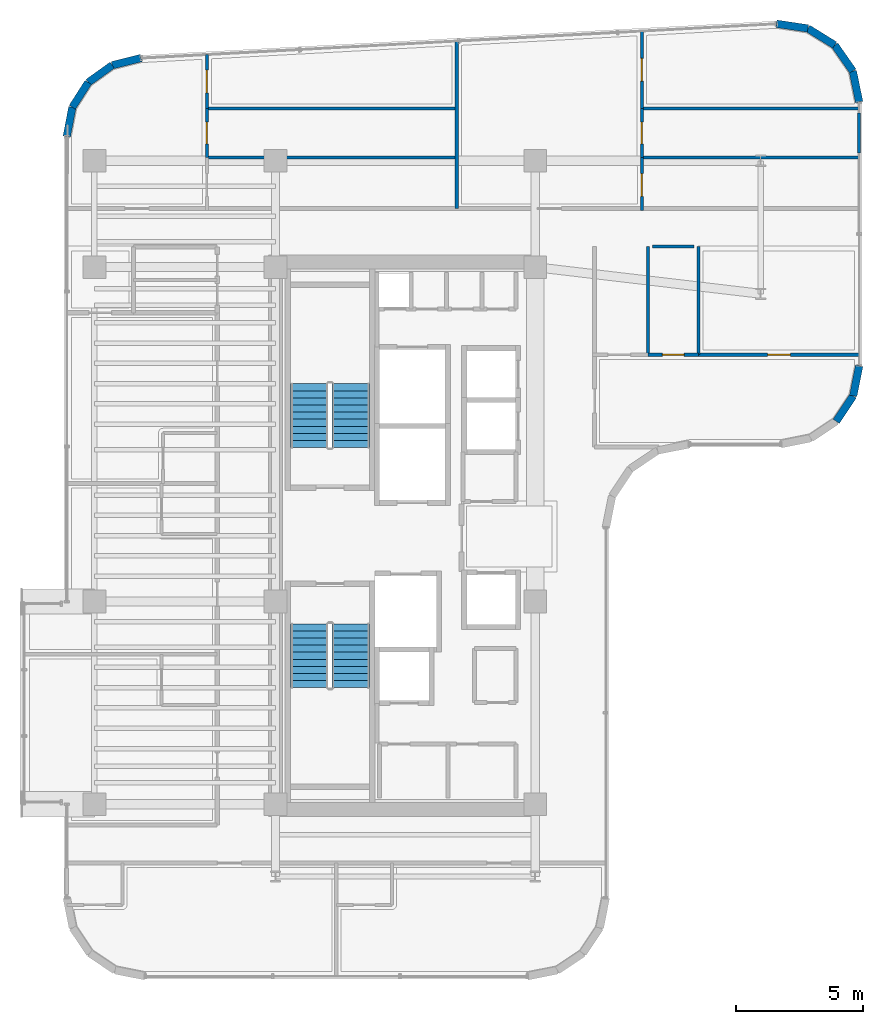
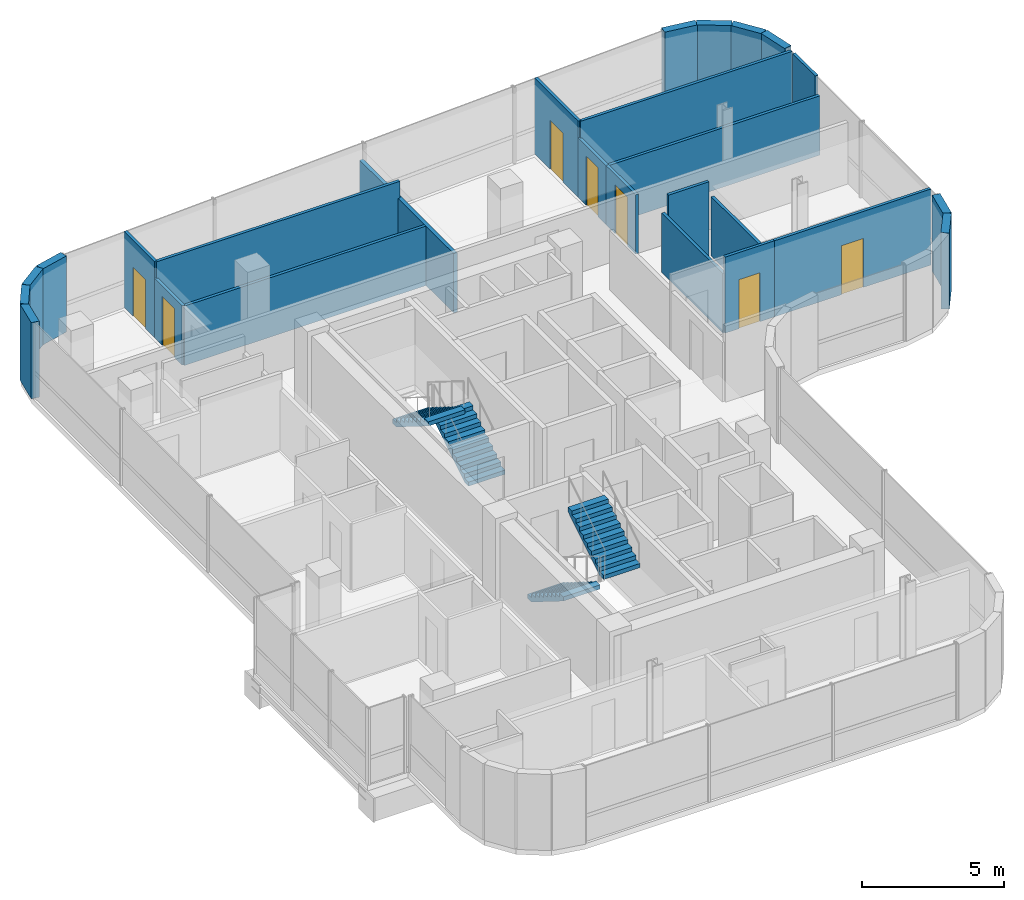
# One storey, part 21 of 24: 26 walls, 7 doors, 4 stair flights, 7 openings, 2 elements without a shape of their own.
"""IFC4 building model written with IfcOpenShell, lengths in metres."""

from ifc_helpers import new_model, si_unit, direction, frame, frame_2d, origin, place, context, subcontext, project, spatial, polyline, rectangle, outline, extrude, material, layer, layer_set, type_object, element, fill, aggregate, save


model = new_model("IFC4")

# Units and contexts
model_context = context("Model", 3, precision=1e-05, world=origin(), true_north=direction((0.0, 1.0)))
body_context = subcontext(model_context, "Body", "Model", "MODEL_VIEW")
ifc_project = project(units=[si_unit("LENGTHUNIT", "METRE"), si_unit("AREAUNIT", "SQUARE_METRE"), si_unit("VOLUMEUNIT", "CUBIC_METRE"), si_unit("PLANEANGLEUNIT", "RADIAN"), si_unit("MASSUNIT", "GRAM", prefix="KILO")], contexts=[model_context])

# Site, building, storey
site_placement = place(None, origin())
site = spatial("IfcSite", under=ifc_project, at=site_placement, CompositionType="ELEMENT")
building_placement = place(site_placement, origin())
building = spatial("IfcBuilding", under=site, at=building_placement, Name="Valdorenza Pilgrim Sanctuary Tower", CompositionType="ELEMENT")
storey_placement = place(building_placement, frame((0.0, 0.0, 230.0)))
storey = spatial("IfcBuildingStorey", under=building, at=storey_placement, Name="L59", CompositionType="ELEMENT", Elevation=230.0)

# Walls
ifc_material_1 = material(Name="Honed travertine limestone", Category="masonry")
ifc_layer_1 = layer(ifc_material_1, 0.300048828125, Name="Honed travertine limestone")
ifc_layer_set_1 = layer_set([ifc_layer_1], Name="Honed travertine limestone")
wall_type_1 = type_object("IfcWallType", Name="WAL-EXT-300", PredefinedType="SOLIDWALL", material=ifc_layer_set_1)
wall_1_placement = place(storey_placement, frame((-30.889892578125, 15.757568359375, 0.0), z_axis=(0.0, 0.0, 1.0), x_axis=(0.18831542659, 0.982108598938, 0.0)))
element("IfcWall", 1, at=wall_1_placement, inside=storey, type_object=wall_type_1, Name="L59 Rounded Wind-Corner Stone Pier 2", PredefinedType="SOLIDWALL", context=body_context, shape_type="SweptSolid", body=[
    extrude(rectangle(XDim=1.174560546875, YDim=0.300048828125, at=frame_2d((0.58740234375, 0.0))), origin(), (0.0, 0.0, 1.0), 3.260009765625),
])
wall_2_placement = place(storey_placement, frame((-30.668701171875, 16.9111328125, 0.0), z_axis=(0.0, 0.0, 1.0), x_axis=(0.538678781902, 0.84251122837, 0.0)))
element("IfcWall", 2, at=wall_2_placement, inside=storey, type_object=wall_type_1, Name="L59 Rounded Wind-Corner Stone Pier 3", PredefinedType="SOLIDWALL", context=body_context, shape_type="SweptSolid", body=[
    extrude(rectangle(XDim=1.164306640625, YDim=0.300048828125, at=frame_2d((0.58203125, 0.0))), origin(), (0.0, 0.0, 1.0), 3.260009765625),
])
wall_3_placement = place(storey_placement, frame((-30.04150390625, 17.89208984375, 0.0), z_axis=(0.0, 0.0, 1.0), x_axis=(0.812313539683, 0.583220981487, 0.0)))
element("IfcWall", 3, at=wall_3_placement, inside=storey, type_object=wall_type_1, Name="L59 Rounded Wind-Corner Stone Pier 4", PredefinedType="SOLIDWALL", context=body_context, shape_type="SweptSolid", body=[
    extrude(rectangle(XDim=1.163818359375, YDim=0.300048828125, at=frame_2d((0.58203125, 0.0))), origin(), (0.0, 0.0, 1.0), 3.260009765625),
])
wall_4_placement = place(storey_placement, frame((-29.09619140625, 18.57080078125, 0.0), z_axis=(0.0, 0.0, 1.0), x_axis=(0.97050812798, 0.241068400098, 0.0)))
element("IfcWall", 4, at=wall_4_placement, inside=storey, type_object=wall_type_1, Name="L59 Rounded Wind-Corner Stone Pier 5", PredefinedType="SOLIDWALL", context=body_context, shape_type="SweptSolid", body=[
    extrude(rectangle(XDim=1.1748046875, YDim=0.300048828125, at=frame_2d((0.58740234375, 0.0))), origin(), (0.0, 0.0, 1.0), 3.260009765625),
])
wall_5_placement = place(storey_placement, frame((-2.877685546875, 20.20751953125, 0.0), z_axis=(0.0, 0.0, 1.0), x_axis=(0.988902138571, -0.148568369208, 0.0)))
element("IfcWall", 5, at=wall_5_placement, inside=storey, type_object=wall_type_1, Name="L59 Rounded Wind-Corner Stone Pier 7", PredefinedType="SOLIDWALL", context=body_context, shape_type="SweptSolid", body=[
    extrude(rectangle(XDim=1.257080078125, YDim=0.300048828125, at=frame_2d((0.62841796875, 0.0))), origin(), (0.0, 0.0, 1.0), 3.260009765625),
])
wall_6_placement = place(storey_placement, frame((-1.634521484375, 20.020751953125, 0.0), z_axis=(0.0, 0.0, 1.0), x_axis=(0.849646224094, -0.52735310171, 0.0)))
element("IfcWall", 6, at=wall_6_placement, inside=storey, type_object=wall_type_1, Name="L59 Rounded Wind-Corner Stone Pier 8", PredefinedType="SOLIDWALL", context=body_context, shape_type="SweptSolid", body=[
    extrude(rectangle(XDim=1.245361328125, YDim=0.300048828125, at=frame_2d((0.62255859375, 0.0))), origin(), (0.0, 0.0, 1.0), 3.260009765625),
])
wall_7_placement = place(storey_placement, frame((-0.576416015625, 19.364013671875, 0.0), z_axis=(0.0, 0.0, 1.0), x_axis=(0.572304219931, -0.820041389107, 0.0)))
element("IfcWall", 7, at=wall_7_placement, inside=storey, type_object=wall_type_1, Name="L59 Rounded Wind-Corner Stone Pier 9", PredefinedType="SOLIDWALL", context=body_context, shape_type="SweptSolid", body=[
    extrude(rectangle(XDim=1.24560546875, YDim=0.300048828125, at=frame_2d((0.622802734375, 0.0))), origin(), (0.0, 0.0, 1.0), 3.260009765625),
])
wall_8_placement = place(storey_placement, frame((0.136474609375, 18.342529296875, 0.0), z_axis=(0.0, 0.0, 1.0), x_axis=(0.201603599025, -0.979467196419, 0.0)))
element("IfcWall", 8, at=wall_8_placement, inside=storey, type_object=wall_type_1, Name="L59 Rounded Wind-Corner Stone Pier 10", PredefinedType="SOLIDWALL", context=body_context, shape_type="SweptSolid", body=[
    extrude(rectangle(XDim=1.257080078125, YDim=0.300048828125, at=frame_2d((0.62841796875, 0.0))), origin(), (0.0, 0.0, 1.0), 3.260009765625),
])
wall_9_placement = place(storey_placement, frame((0.389892578125, 6.710693359375, 0.0), z_axis=(0.0, 0.0, 1.0), x_axis=(-0.194996050505, -0.980804027463, 0.0)))
element("IfcWall", 9, at=wall_9_placement, inside=storey, type_object=wall_type_1, Name="L59 Rounded Wind-Corner Stone Pier 12", PredefinedType="SOLIDWALL", context=body_context, shape_type="SweptSolid", body=[
    extrude(rectangle(XDim=1.2158203125, YDim=0.300048828125, at=frame_2d((0.60791015625, 0.0))), origin(), (0.0, 0.0, 1.0), 3.260009765625),
])
wall_10_placement = place(storey_placement, frame((0.15283203125, 5.518310546875, 0.0), z_axis=(0.0, 0.0, 1.0), x_axis=(-0.555635100982, -0.831426265255, 0.0)))
element("IfcWall", 10, at=wall_10_placement, inside=storey, type_object=wall_type_1, Name="L59 Rounded Wind-Corner Stone Pier 13", PredefinedType="SOLIDWALL", context=body_context, shape_type="SweptSolid", body=[
    extrude(rectangle(XDim=1.204833984375, YDim=0.300048828125, at=frame_2d((0.6025390625, 0.0))), origin(), (0.0, 0.0, 1.0), 3.260009765625),
])
ifc_material_2 = material(Name="Moisture-resistant gypsum partition", Category="gypsum")
ifc_layer_2 = layer(ifc_material_2, 0.1201171875, Name="Moisture-resistant gypsum partition")
ifc_layer_set_2 = layer_set([ifc_layer_2], Name="Moisture-resistant gypsum partition")
wall_type_2 = type_object("IfcWallType", Name="WAL-INT-120", PredefinedType="PARTITIONING", material=ifc_layer_set_2)
wall_11_placement = place(storey_placement, frame((-25.360595703125, 14.919921875, 0.0), z_axis=(0.0, 0.0, 1.0), x_axis=(1.0, 0.0, 0.0)))
element("IfcWall", 11, at=wall_11_placement, inside=storey, type_object=wall_type_2, Name="L59 North Sanctuary Apartment L59-N1 Bath-Kitchen Wall", PredefinedType="PARTITIONING", context=body_context, shape_type="SweptSolid", body=[
    extrude(rectangle(XDim=9.860595703125, YDim=0.1201171875, at=frame_2d((4.93017578125, 0.0))), origin(), (0.0, 0.0, 1.0), 2.5439453125),
])
wall_12_placement = place(storey_placement, frame((-25.360595703125, 16.8701171875, 0.0), z_axis=(0.0, 0.0, 1.0), x_axis=(1.0, 0.0, 0.0)))
element("IfcWall", 12, at=wall_12_placement, inside=storey, type_object=wall_type_2, Name="L59 North Sanctuary Apartment L59-N1 Kitchen-Bedroom Wall", PredefinedType="PARTITIONING", context=body_context, shape_type="SweptSolid", body=[
    extrude(rectangle(XDim=9.860595703125, YDim=0.1201171875, at=frame_2d((4.93017578125, 0.0))), origin(), (0.0, 0.0, 1.0), 3.260009765625),
])

# Wall, opening, door
wall_13_placement = place(storey_placement, frame((-25.360595703125, 14.919921875, 0.0), z_axis=(0.0, 0.0, 1.0), x_axis=(0.0, 1.0, 0.0)))
wall_13 = element("IfcWall", 13, at=wall_13_placement, inside=storey, type_object=wall_type_2, Name="L59 North Sanctuary Apartment L59-N1 Bathroom Door Wall", PredefinedType="PARTITIONING", context=body_context, shape_type="SweptSolid", body=[
    extrude(rectangle(XDim=1.9501953125, YDim=0.1201171875, at=frame_2d((0.97509765625, 0.0))), origin(), (0.0, 0.0, 1.0), 2.5439453125),
])
opening_1_placement = place(wall_13_placement, frame((0.550048828125, 0.0, 0.0)))
opening_1 = element("IfcOpeningElement", 14, at=opening_1_placement, cuts=wall_13, Name="Opening DR-WC1", PredefinedType="OPENING", context=body_context, shape_type="SweptSolid", body=[
    extrude(rectangle(XDim=0.85009765625, YDim=2.10009765625, at=frame_2d((0.425048828125, 1.050048828125))), frame((0.0, 0.074951171875, 0.0), z_axis=(0.0, -1.0, 0.0), x_axis=(1.0, 0.0, 0.0)), (0.0, 0.0, 1.0), 0.14990234375),
])
ifc_material_3 = material(Name="Moisture-resistant lacquered timber", Category="wood")
door_type_1 = type_object("IfcDoorType", Name="DR-BATH-850", OperationType="NOTDEFINED", PredefinedType="DOOR", material=ifc_material_3)
door_1_placement = place(opening_1_placement, origin())
door_1 = element("IfcDoor", 15, at=door_1_placement, inside=storey, type_object=door_type_1, Name="L59 North Sanctuary Apartment L59-N1 Bathroom Door", OperationType="SINGLE_SWING_LEFT", OverallHeight=2.10009765625, OverallWidth=0.85009765625, PredefinedType="DOOR", context=body_context, shape_type="SweptSolid", body=[
    extrude(rectangle(XDim=0.85009765625, YDim=2.10009765625, at=frame_2d((0.425048828125, 1.050048828125))), frame((0.0, 0.02490234375, 0.0), z_axis=(0.0, -1.0, 0.0), x_axis=(1.0, 0.0, 0.0)), (0.0, 0.0, 1.0), 0.050048828125),
])
fill(opening_1, door_1)

wall_14_placement = place(storey_placement, frame((-25.360595703125, 16.8701171875, 0.0), z_axis=(0.0, 0.0, 1.0), x_axis=(0.0, 1.0, 0.0)))
wall_14 = element("IfcWall", 16, at=wall_14_placement, inside=storey, type_object=wall_type_2, Name="L59 North Sanctuary Apartment L59-N1 Bedroom Door Wall", PredefinedType="PARTITIONING", context=body_context, shape_type="SweptSolid", body=[
    extrude(rectangle(XDim=2.1240234375, YDim=0.1201171875, at=frame_2d((1.06201171875, 0.0))), origin(), (0.0, 0.0, 1.0), 3.260009765625),
])
opening_2_placement = place(wall_14_placement, frame((0.612060546875, 0.0, 0.0)))
opening_2 = element("IfcOpeningElement", 17, at=opening_2_placement, cuts=wall_14, Name="Opening DR-RM1", PredefinedType="OPENING", context=body_context, shape_type="SweptSolid", body=[
    extrude(rectangle(XDim=0.89990234375, YDim=2.10009765625, at=frame_2d((0.449951171875, 1.050048828125))), frame((0.0, 0.074951171875, 0.0), z_axis=(0.0, -1.0, 0.0), x_axis=(1.0, 0.0, 0.0)), (0.0, 0.0, 1.0), 0.14990234375),
])
ifc_material_4 = material(Name="Solid-core European oak timber", Category="wood")
door_type_2 = type_object("IfcDoorType", Name="DR-ROOM-900", OperationType="NOTDEFINED", PredefinedType="DOOR", material=ifc_material_4)
door_2_placement = place(opening_2_placement, frame((0.89990234375, 0.0, 0.0), z_axis=(0.0, 0.0, 1.0), x_axis=(-1.0, 0.0, 0.0)))
door_2 = element("IfcDoor", 18, at=door_2_placement, inside=storey, type_object=door_type_2, Name="L59 North Sanctuary Apartment L59-N1 Bedroom Door", OperationType="SINGLE_SWING_LEFT", OverallHeight=2.10009765625, OverallWidth=0.89990234375, PredefinedType="DOOR", context=body_context, shape_type="SweptSolid", body=[
    extrude(rectangle(XDim=0.89990234375, YDim=2.10009765625, at=frame_2d((0.449951171875, 1.050048828125))), frame((0.0, 0.02490234375, 0.0), z_axis=(0.0, -1.0, 0.0), x_axis=(1.0, 0.0, 0.0)), (0.0, 0.0, 1.0), 0.050048828125),
])
fill(opening_2, door_2)

# Walls
wall_15_placement = place(storey_placement, frame((-8.190673828125, 14.919921875, 0.0), z_axis=(0.0, 0.0, 1.0), x_axis=(1.0, 0.0, 0.0)))
element("IfcWall", 19, at=wall_15_placement, inside=storey, type_object=wall_type_2, Name="L59 North Sanctuary Apartment L59-N2 Bath-Kitchen Wall", PredefinedType="PARTITIONING", context=body_context, shape_type="SweptSolid", body=[
    extrude(rectangle(XDim=8.58056640625, YDim=0.1201171875, at=frame_2d((4.290283203125, 0.0))), origin(), (0.0, 0.0, 1.0), 2.5439453125),
])
wall_16_placement = place(storey_placement, frame((-8.190673828125, 16.8701171875, 0.0), z_axis=(0.0, 0.0, 1.0), x_axis=(1.0, 0.0, 0.0)))
element("IfcWall", 20, at=wall_16_placement, inside=storey, type_object=wall_type_2, Name="L59 North Sanctuary Apartment L59-N2 Kitchen-Bedroom Wall", PredefinedType="PARTITIONING", context=body_context, shape_type="SweptSolid", body=[
    extrude(rectangle(XDim=8.58056640625, YDim=0.1201171875, at=frame_2d((4.290283203125, 0.0))), origin(), (0.0, 0.0, 1.0), 3.260009765625),
])

# Wall, opening, door
wall_17_placement = place(storey_placement, frame((-8.190673828125, 14.919921875, 0.0), z_axis=(0.0, 0.0, 1.0), x_axis=(0.0, 1.0, 0.0)))
wall_17 = element("IfcWall", 21, at=wall_17_placement, inside=storey, type_object=wall_type_2, Name="L59 North Sanctuary Apartment L59-N2 Bathroom Door Wall", PredefinedType="PARTITIONING", context=body_context, shape_type="SweptSolid", body=[
    extrude(rectangle(XDim=1.9501953125, YDim=0.1201171875, at=frame_2d((0.97509765625, 0.0))), origin(), (0.0, 0.0, 1.0), 2.5439453125),
])
opening_3_placement = place(wall_17_placement, frame((0.550048828125, 0.0, 0.0)))
opening_3 = element("IfcOpeningElement", 22, at=opening_3_placement, cuts=wall_17, Name="Opening DR-WC1", PredefinedType="OPENING", context=body_context, shape_type="SweptSolid", body=[
    extrude(rectangle(XDim=0.85009765625, YDim=2.10009765625, at=frame_2d((0.425048828125, 1.050048828125))), frame((0.0, 0.074951171875, 0.0), z_axis=(0.0, -1.0, 0.0), x_axis=(1.0, 0.0, 0.0)), (0.0, 0.0, 1.0), 0.14990234375),
])
door_3_placement = place(opening_3_placement, origin())
door_3 = element("IfcDoor", 23, at=door_3_placement, inside=storey, type_object=door_type_1, Name="L59 North Sanctuary Apartment L59-N2 Bathroom Door", OperationType="SINGLE_SWING_LEFT", OverallHeight=2.10009765625, OverallWidth=0.85009765625, PredefinedType="DOOR", context=body_context, shape_type="SweptSolid", body=[
    extrude(rectangle(XDim=0.85009765625, YDim=2.10009765625, at=frame_2d((0.425048828125, 1.050048828125))), frame((0.0, 0.02490234375, 0.0), z_axis=(0.0, -1.0, 0.0), x_axis=(1.0, 0.0, 0.0)), (0.0, 0.0, 1.0), 0.050048828125),
])
fill(opening_3, door_3)

wall_18_placement = place(storey_placement, frame((-8.190673828125, 12.840087890625, 0.0), z_axis=(0.0, 0.0, 1.0), x_axis=(0.0, 1.0, 0.0)))
wall_18 = element("IfcWall", 24, at=wall_18_placement, inside=storey, type_object=wall_type_2, Name="L59 North Sanctuary Apartment L59-N2 Kitchen Door Wall", PredefinedType="PARTITIONING", context=body_context, shape_type="SweptSolid", body=[
    extrude(rectangle(XDim=2.079833984375, YDim=0.1201171875, at=frame_2d((1.0400390625, 0.0))), origin(), (0.0, 0.0, 1.0), 2.5439453125),
])
opening_4_placement = place(wall_18_placement, frame((0.550048828125, 0.0, 0.0)))
opening_4 = element("IfcOpeningElement", 25, at=opening_4_placement, cuts=wall_18, Name="Opening DR-RM1", PredefinedType="OPENING", context=body_context, shape_type="SweptSolid", body=[
    extrude(rectangle(XDim=0.89990234375, YDim=2.10009765625, at=frame_2d((0.449951171875, 1.050048828125))), frame((0.0, 0.074951171875, 0.0), z_axis=(0.0, -1.0, 0.0), x_axis=(1.0, 0.0, 0.0)), (0.0, 0.0, 1.0), 0.14990234375),
])
door_4_placement = place(opening_4_placement, origin())
door_4 = element("IfcDoor", 26, at=door_4_placement, inside=storey, type_object=door_type_2, Name="L59 North Sanctuary Apartment L59-N2 Kitchen Door", OperationType="SINGLE_SWING_RIGHT", OverallHeight=2.10009765625, OverallWidth=0.89990234375, PredefinedType="DOOR", context=body_context, shape_type="SweptSolid", body=[
    extrude(rectangle(XDim=0.89990234375, YDim=2.10009765625, at=frame_2d((0.449951171875, 1.050048828125))), frame((0.0, 0.02490234375, 0.0), z_axis=(0.0, -1.0, 0.0), x_axis=(1.0, 0.0, 0.0)), (0.0, 0.0, 1.0), 0.050048828125),
])
fill(opening_4, door_4)

wall_19_placement = place(storey_placement, frame((-8.190673828125, 16.8701171875, 0.0), z_axis=(0.0, 0.0, 1.0), x_axis=(0.0, 1.0, 0.0)))
wall_19 = element("IfcWall", 27, at=wall_19_placement, inside=storey, type_object=wall_type_2, Name="L59 North Sanctuary Apartment L59-N2 Bedroom Door Wall", PredefinedType="PARTITIONING", context=body_context, shape_type="SweptSolid", body=[
    extrude(rectangle(XDim=3.05078125, YDim=0.1201171875, at=frame_2d((1.525390625, 0.0))), origin(), (0.0, 0.0, 1.0), 3.260009765625),
])
opening_5_placement = place(wall_19_placement, frame((1.074951171875, 0.0, 0.0)))
opening_5 = element("IfcOpeningElement", 28, at=opening_5_placement, cuts=wall_19, Name="Opening DR-RM1", PredefinedType="OPENING", context=body_context, shape_type="SweptSolid", body=[
    extrude(rectangle(XDim=0.89990234375, YDim=2.10009765625, at=frame_2d((0.449951171875, 1.050048828125))), frame((0.0, 0.074951171875, 0.0), z_axis=(0.0, -1.0, 0.0), x_axis=(1.0, 0.0, 0.0)), (0.0, 0.0, 1.0), 0.14990234375),
])
door_5_placement = place(opening_5_placement, frame((0.89990234375, 0.0, 0.0), z_axis=(0.0, 0.0, 1.0), x_axis=(-1.0, 0.0, 0.0)))
door_5 = element("IfcDoor", 29, at=door_5_placement, inside=storey, type_object=door_type_2, Name="L59 North Sanctuary Apartment L59-N2 Bedroom Door", OperationType="SINGLE_SWING_LEFT", OverallHeight=2.10009765625, OverallWidth=0.89990234375, PredefinedType="DOOR", context=body_context, shape_type="SweptSolid", body=[
    extrude(rectangle(XDim=0.89990234375, YDim=2.10009765625, at=frame_2d((0.449951171875, 1.050048828125))), frame((0.0, 0.02490234375, 0.0), z_axis=(0.0, -1.0, 0.0), x_axis=(1.0, 0.0, 0.0)), (0.0, 0.0, 1.0), 0.050048828125),
])
fill(opening_5, door_5)

# Walls
wall_20_placement = place(storey_placement, frame((0.389892578125, 15.10009765625, 0.0), z_axis=(0.0, 0.0, 1.0), x_axis=(0.0, 1.0, 0.0)))
element("IfcWall", 30, at=wall_20_placement, inside=storey, type_object=wall_type_2, Name="L59 NW-AP2-BTH Enclosure Wall E", PredefinedType="PARTITIONING", context=body_context, shape_type="SweptSolid", body=[
    extrude(rectangle(XDim=1.58984375, YDim=0.1201171875, at=frame_2d((0.794921875, 0.0))), origin(), (0.0, 0.0, 1.0), 3.260009765625),
])
for number, where, z_axis, x_axis, name in (
    (31, (-7.949951171875, 7.143310546875, 0.0), (0.0, 0.0, 1.0), (0.0, 1.0, 0.0), "L59 East Sanctuary Apartment L59-E1 Bath-Kitchen Wall"),
    (32, (-5.949951171875, 7.143310546875, 0.0), (0.0, 0.0, 1.0), (0.0, 1.0, 0.0), "L59 East Sanctuary Apartment L59-E1 Kitchen-Bedroom Wall"),
):
    element("IfcWall", number, at=place(storey_placement, frame(where, z_axis=z_axis, x_axis=x_axis)), inside=storey, type_object=wall_type_2, Name=name, PredefinedType="PARTITIONING", context=body_context, shape_type="SweptSolid", body=[
        extrude(rectangle(XDim=4.276611328125, YDim=0.1201171875, at=frame_2d((2.13818359375, 0.0))), origin(), (0.0, 0.0, 1.0), 2.5439453125),
    ])

# Wall, opening, door
wall_21_placement = place(storey_placement, frame((-7.949951171875, 7.143310546875, 0.0), z_axis=(0.0, 0.0, 1.0), x_axis=(1.0, 0.0, 0.0)))
wall_21 = element("IfcWall", 33, at=wall_21_placement, inside=storey, type_object=wall_type_2, Name="L59 East Sanctuary Apartment L59-E1 Bathroom Door Wall", PredefinedType="PARTITIONING", context=body_context, shape_type="SweptSolid", body=[
    extrude(rectangle(XDim=2.0, YDim=0.1201171875, at=frame_2d((1.0, 0.0))), origin(), (0.0, 0.0, 1.0), 3.260009765625),
])
opening_6_placement = place(wall_21_placement, frame((0.574951171875, 0.0, 0.0)))
opening_6 = element("IfcOpeningElement", 34, at=opening_6_placement, cuts=wall_21, Name="Opening DR-WC1", PredefinedType="OPENING", context=body_context, shape_type="SweptSolid", body=[
    extrude(rectangle(XDim=0.85009765625, YDim=2.10009765625, at=frame_2d((0.425048828125, 1.050048828125))), frame((0.0, 0.074951171875, 0.0), z_axis=(0.0, -1.0, 0.0), x_axis=(1.0, 0.0, 0.0)), (0.0, 0.0, 1.0), 0.14990234375),
])
door_6_placement = place(opening_6_placement, origin())
door_6 = element("IfcDoor", 35, at=door_6_placement, inside=storey, type_object=door_type_1, Name="L59 East Sanctuary Apartment L59-E1 Bathroom Door", OperationType="SINGLE_SWING_LEFT", OverallHeight=2.10009765625, OverallWidth=0.85009765625, PredefinedType="DOOR", context=body_context, shape_type="SweptSolid", body=[
    extrude(rectangle(XDim=0.85009765625, YDim=2.10009765625, at=frame_2d((0.425048828125, 1.050048828125))), frame((0.0, 0.02490234375, 0.0), z_axis=(0.0, -1.0, 0.0), x_axis=(1.0, 0.0, 0.0)), (0.0, 0.0, 1.0), 0.050048828125),
])
fill(opening_6, door_6)

wall_22_placement = place(storey_placement, frame((-5.949951171875, 7.143310546875, 0.0), z_axis=(0.0, 0.0, 1.0), x_axis=(1.0, 0.0, 0.0)))
wall_22 = element("IfcWall", 36, at=wall_22_placement, inside=storey, type_object=wall_type_2, Name="L59 East Sanctuary Apartment L59-E1 Bedroom Door Wall", PredefinedType="PARTITIONING", context=body_context, shape_type="SweptSolid", body=[
    extrude(rectangle(XDim=6.33984375, YDim=0.1201171875, at=frame_2d((3.169921875, 0.0))), origin(), (0.0, 0.0, 1.0), 3.260009765625),
])
opening_7_placement = place(wall_22_placement, frame((2.719970703125, 0.0, 0.0)))
opening_7 = element("IfcOpeningElement", 37, at=opening_7_placement, cuts=wall_22, Name="Opening DR-RM1", PredefinedType="OPENING", context=body_context, shape_type="SweptSolid", body=[
    extrude(rectangle(XDim=0.89990234375, YDim=2.10009765625, at=frame_2d((0.449951171875, 1.050048828125))), frame((0.0, 0.074951171875, 0.0), z_axis=(0.0, -1.0, 0.0), x_axis=(1.0, 0.0, 0.0)), (0.0, 0.0, 1.0), 0.14990234375),
])
door_7_placement = place(opening_7_placement, frame((0.89990234375, 0.0, 0.0), z_axis=(0.0, 0.0, 1.0), x_axis=(-1.0, 0.0, 0.0)))
door_7 = element("IfcDoor", 38, at=door_7_placement, inside=storey, type_object=door_type_2, Name="L59 East Sanctuary Apartment L59-E1 Bedroom Door", OperationType="SINGLE_SWING_LEFT", OverallHeight=2.10009765625, OverallWidth=0.89990234375, PredefinedType="DOOR", context=body_context, shape_type="SweptSolid", body=[
    extrude(rectangle(XDim=0.89990234375, YDim=2.10009765625, at=frame_2d((0.449951171875, 1.050048828125))), frame((0.0, 0.02490234375, 0.0), z_axis=(0.0, -1.0, 0.0), x_axis=(1.0, 0.0, 0.0)), (0.0, 0.0, 1.0), 0.050048828125),
])
fill(opening_7, door_7)

# Walls
wall_23_placement = place(storey_placement, frame((-7.77001953125, 11.419921875, 0.0), z_axis=(0.0, 0.0, 1.0), x_axis=(1.0, 0.0, 0.0)))
element("IfcWall", 39, at=wall_23_placement, inside=storey, type_object=wall_type_2, Name="L59 ESTB-S1-BTH Enclosure Wall N", PredefinedType="PARTITIONING", context=body_context, shape_type="SweptSolid", body=[
    extrude(rectangle(XDim=1.64013671875, YDim=0.1201171875, at=frame_2d((0.820068359375, 0.0))), origin(), (0.0, 0.0, 1.0), 3.260009765625),
])
ifc_material_5 = material(Name="Acoustic twin-stud gypsum partition", Category="gypsum")
ifc_layer_3 = layer(ifc_material_5, 0.14990234375, Name="Acoustic twin-stud gypsum partition")
ifc_layer_set_3 = layer_set([ifc_layer_3], Name="Acoustic twin-stud gypsum partition")
wall_type_3 = type_object("IfcWallType", Name="WAL-UNT-150", PredefinedType="PARTITIONING", material=ifc_layer_set_3)
wall_24_placement = place(storey_placement, frame((-15.5, 12.919921875, 0.0), z_axis=(0.0, 0.0, 1.0), x_axis=(0.0, 1.0, 0.0)))
element("IfcWall", 40, at=wall_24_placement, inside=storey, type_object=wall_type_3, Name="L59 North Apt Demising 1", PredefinedType="PARTITIONING", context=body_context, shape_type="SweptSolid", body=[
    extrude(rectangle(XDim=6.6064453125, YDim=0.14990234375, at=frame_2d((3.30322265625, 0.0))), origin(), (0.0, 0.0, 1.0), 2.5439453125),
])

# Stair, stair flights
ifc_material_6 = material(Name="Concrete C40/50", Category="concrete")
stair_type = type_object("IfcStairType", Name="STR-DOG-CORE", PredefinedType="HALF_TURN_STAIR", material=ifc_material_6)
stair_1_placement = place(storey_placement, origin())
stair_1 = element("IfcStair", 41, at=stair_1_placement, inside=storey, type_object=stair_type, Name="L59 ST-A1", PredefinedType="HALF_TURN_STAIR")
stair_flight_type = type_object("IfcStairFlightType", Name="STF-RC-1400", PredefinedType="STRAIGHT", material=ifc_material_6)
stair_flight_1_placement = place(storey_placement, frame((-19.679931640625, 3.47998046875, 0.0), z_axis=(0.0, 0.0, 1.0), x_axis=(0.0, 1.0, 0.0)))
stair_flight_1 = element("IfcStairFlight", 42, at=stair_flight_1_placement, type_object=stair_flight_type, Name="ST-A1 flight 1", NumberOfRisers=10, NumberOfTreads=9, PredefinedType="STRAIGHT", RiserHeight=0.175, TreadLength=0.28, context=body_context, shape_type="SweptSolid", body=[
    extrude(outline(polyline([(0.0, 0.0), (0.0, 0.175048828125), (0.280029296875, 0.175048828125), (0.280029296875, 0.35009765625), (0.56005859375, 0.35009765625), (0.56005859375, 0.52490234375), (0.840087890625, 0.52490234375), (0.840087890625, 0.699951171875), (1.1201171875, 0.699951171875), (1.1201171875, 0.875), (1.39990234375, 0.875), (1.39990234375, 1.050048828125), (1.679931640625, 1.050048828125), (1.679931640625, 1.22509765625), (1.9599609375, 1.22509765625), (1.9599609375, 1.39990234375), (2.239990234375, 1.39990234375), (2.239990234375, 1.574951171875), (2.52001953125, 1.574951171875), (2.52001953125, 1.75), (2.52001953125, 1.398193359375), (0.28271484375, 0.0), (0.0, 0.0)])), frame((0.0, 0.739990234375, 0.0), z_axis=(0.0, -1.0, 0.0), x_axis=(1.0, 0.0, 0.0)), (0.0, 0.0, 1.0), 1.47998046875),
])
stair_flight_2_placement = place(storey_placement, frame((-21.31005859375, 6.0, 1.75), z_axis=(0.0, 0.0, 1.0), x_axis=(0.0, -1.0, 0.0)))
stair_flight_2 = element("IfcStairFlight", 43, at=stair_flight_2_placement, type_object=stair_flight_type, Name="ST-A1 flight 2", NumberOfRisers=10, NumberOfTreads=9, PredefinedType="STRAIGHT", RiserHeight=0.175, TreadLength=0.28, context=body_context, shape_type="SweptSolid", body=[
    extrude(outline(polyline([(0.0, 0.0), (0.0, 0.175048828125), (0.280029296875, 0.175048828125), (0.280029296875, 0.35009765625), (0.56005859375, 0.35009765625), (0.56005859375, 0.52490234375), (0.840087890625, 0.52490234375), (0.840087890625, 0.699951171875), (1.1201171875, 0.699951171875), (1.1201171875, 0.875), (1.39990234375, 0.875), (1.39990234375, 1.050048828125), (1.679931640625, 1.050048828125), (1.679931640625, 1.22509765625), (1.9599609375, 1.22509765625), (1.9599609375, 1.39990234375), (2.239990234375, 1.39990234375), (2.239990234375, 1.574951171875), (2.52001953125, 1.574951171875), (2.52001953125, 1.75), (2.52001953125, 1.398193359375), (0.28271484375, 0.0), (0.0, 0.0)])), frame((0.0, 0.739990234375, 0.0), z_axis=(0.0, -1.0, 0.0), x_axis=(1.0, 0.0, 0.0)), (0.0, 0.0, 1.0), 1.47998046875),
])
aggregate(stair_1, [stair_flight_1, stair_flight_2])

stair_2_placement = place(storey_placement, origin())
stair_2 = element("IfcStair", 44, at=stair_2_placement, inside=storey, type_object=stair_type, Name="L59 ST-A2", PredefinedType="HALF_TURN_STAIR")
stair_flight_3_placement = place(storey_placement, frame((-21.31005859375, -3.47998046875, 0.0), z_axis=(0.0, 0.0, 1.0), x_axis=(0.0, -1.0, 0.0)))
stair_flight_3 = element("IfcStairFlight", 45, at=stair_flight_3_placement, type_object=stair_flight_type, Name="ST-A2 flight 1", NumberOfRisers=10, NumberOfTreads=9, PredefinedType="STRAIGHT", RiserHeight=0.175, TreadLength=0.28, context=body_context, shape_type="SweptSolid", body=[
    extrude(outline(polyline([(0.0, 0.0), (0.0, 0.175048828125), (0.280029296875, 0.175048828125), (0.280029296875, 0.35009765625), (0.56005859375, 0.35009765625), (0.56005859375, 0.52490234375), (0.840087890625, 0.52490234375), (0.840087890625, 0.699951171875), (1.1201171875, 0.699951171875), (1.1201171875, 0.875), (1.39990234375, 0.875), (1.39990234375, 1.050048828125), (1.679931640625, 1.050048828125), (1.679931640625, 1.22509765625), (1.9599609375, 1.22509765625), (1.9599609375, 1.39990234375), (2.239990234375, 1.39990234375), (2.239990234375, 1.574951171875), (2.52001953125, 1.574951171875), (2.52001953125, 1.75), (2.52001953125, 1.398193359375), (0.28271484375, 0.0), (0.0, 0.0)])), frame((0.0, 0.739990234375, 0.0), z_axis=(0.0, -1.0, 0.0), x_axis=(1.0, 0.0, 0.0)), (0.0, 0.0, 1.0), 1.47998046875),
])
stair_flight_4_placement = place(storey_placement, frame((-19.679931640625, -6.0, 1.75), z_axis=(0.0, 0.0, 1.0), x_axis=(0.0, 1.0, 0.0)))
stair_flight_4 = element("IfcStairFlight", 46, at=stair_flight_4_placement, type_object=stair_flight_type, Name="ST-A2 flight 2", NumberOfRisers=10, NumberOfTreads=9, PredefinedType="STRAIGHT", RiserHeight=0.175, TreadLength=0.28, context=body_context, shape_type="SweptSolid", body=[
    extrude(outline(polyline([(0.0, 0.0), (0.0, 0.175048828125), (0.280029296875, 0.175048828125), (0.280029296875, 0.35009765625), (0.56005859375, 0.35009765625), (0.56005859375, 0.52490234375), (0.840087890625, 0.52490234375), (0.840087890625, 0.699951171875), (1.1201171875, 0.699951171875), (1.1201171875, 0.875), (1.39990234375, 0.875), (1.39990234375, 1.050048828125), (1.679931640625, 1.050048828125), (1.679931640625, 1.22509765625), (1.9599609375, 1.22509765625), (1.9599609375, 1.39990234375), (2.239990234375, 1.39990234375), (2.239990234375, 1.574951171875), (2.52001953125, 1.574951171875), (2.52001953125, 1.75), (2.52001953125, 1.398193359375), (0.28271484375, 0.0), (0.0, 0.0)])), frame((0.0, 0.739990234375, 0.0), z_axis=(0.0, -1.0, 0.0), x_axis=(1.0, 0.0, 0.0)), (0.0, 0.0, 1.0), 1.47998046875),
])
aggregate(stair_2, [stair_flight_3, stair_flight_4])

save(model, "model.ifc")
